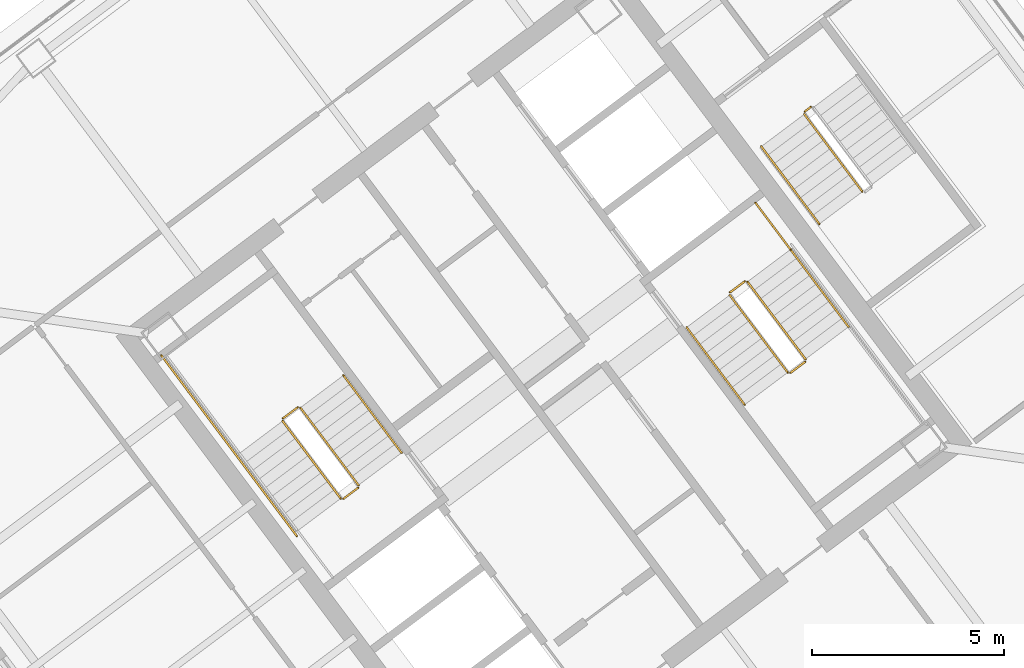
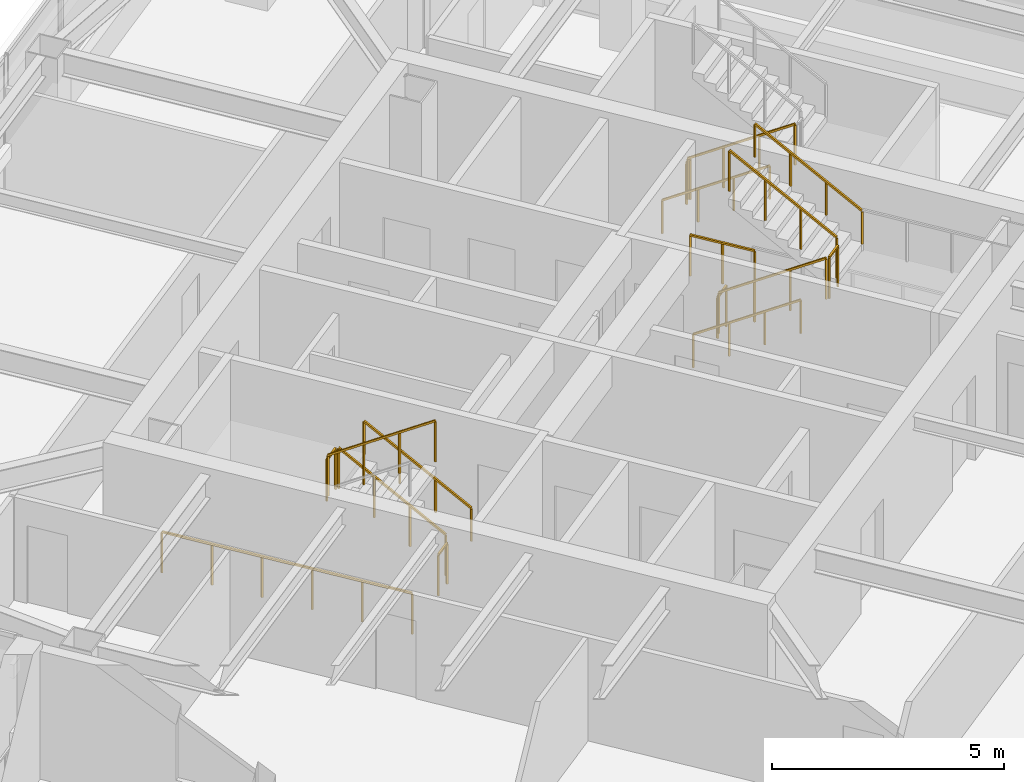
# One storey, part 37 of 39: 16 railings.
"""IFC4 building model written with IfcOpenShell, lengths in metres."""

from ifc_helpers import new_model, si_unit, direction, frame, origin, origin_2d, place, context, subcontext, project, spatial, rectangle, extrude, material, type_object, element, save


model = new_model("IFC4")

# Units and contexts
model_context = context("Model", 3, precision=1e-05, world=origin(), true_north=direction((0.0, 1.0)))
body_context = subcontext(model_context, "Body", "Model", "MODEL_VIEW")
ifc_project = project(units=[si_unit("LENGTHUNIT", "METRE"), si_unit("AREAUNIT", "SQUARE_METRE"), si_unit("VOLUMEUNIT", "CUBIC_METRE"), si_unit("PLANEANGLEUNIT", "RADIAN"), si_unit("MASSUNIT", "GRAM", prefix="KILO")], contexts=[model_context])

# Site, building, storey
site_placement = place(None, origin())
site = spatial("IfcSite", under=ifc_project, at=site_placement, CompositionType="ELEMENT")
building_placement = place(site_placement, origin())
building = spatial("IfcBuilding", under=site, at=building_placement, Name="Tashvorn Skyway Center", CompositionType="ELEMENT")
storey_placement = place(building_placement, frame((0.0, 0.0, 225.5)))
storey = spatial("IfcBuildingStorey", under=building, at=storey_placement, Name="L61", CompositionType="ELEMENT", Elevation=225.5)

# Railings
ifc_material_1 = material(Name="Brushed stainless steel 316", Category="steel")
railing_type_1 = type_object("IfcRailingType", Name="RAIL-HAND-920", PredefinedType="HANDRAIL", material=ifc_material_1)
railing_1_placement = place(storey_placement, frame((110.2880859375, 30.365966796875, 0.177490234375)))
element("IfcRailing", 1, at=railing_1_placement, inside=storey, type_object=railing_type_1, Name="L61 ST-T2-1 stair handrail 1", PredefinedType="HANDRAIL", context=body_context, shape_type="SweptSolid", body=[
    extrude(rectangle(XDim=0.048095703125, YDim=0.048095703125, at=origin_2d()), frame((0.0, 0.0, 0.8759765625), z_axis=(-0.506801609611, 0.675680931896, 0.535357270211), x_axis=(-0.799976749893, -0.600030998891, 0.0)), (0.0, 0.0, 1.0), 2.98388671875),
    extrude(rectangle(XDim=0.0419921875, YDim=0.0419921875, at=origin_2d()), origin(), (0.0, 0.0, 1.0), 0.851806640625),
    extrude(rectangle(XDim=0.0419921875, YDim=0.0419921875, at=origin_2d()), frame((-0.504150390625, 0.672119140625, 0.532470703125)), (0.0, 0.0, 1.0), 0.851806640625),
    extrude(rectangle(XDim=0.0419921875, YDim=0.0419921875, at=origin_2d()), frame((-1.008056640625, 1.343994140625, 1.06494140625)), (0.0, 0.0, 1.0), 0.851806640625),
    extrude(rectangle(XDim=0.0419921875, YDim=0.0419921875, at=origin_2d()), frame((-1.51220703125, 2.01611328125, 1.597412109375)), (0.0, 0.0, 1.0), 0.851806640625),
])
railing_2_placement = place(storey_placement, frame((117.7119140625, 33.634033203125, 0.177490234375)))
element("IfcRailing", 2, at=railing_2_placement, inside=storey, type_object=railing_type_1, Name="L61 ST-T2-2 stair handrail 1", PredefinedType="HANDRAIL", context=body_context, shape_type="SweptSolid", body=[
    extrude(rectangle(XDim=0.048095703125, YDim=0.048095703125, at=origin_2d()), frame((0.0, 0.0, 0.8759765625), z_axis=(0.506801609611, -0.675680931896, 0.535357270211), x_axis=(0.799976749893, 0.600030998891, 0.0)), (0.0, 0.0, 1.0), 2.98388671875),
    extrude(rectangle(XDim=0.0419921875, YDim=0.0419921875, at=origin_2d()), origin(), (0.0, 0.0, 1.0), 0.851806640625),
    extrude(rectangle(XDim=0.0419921875, YDim=0.0419921875, at=origin_2d()), frame((0.504150390625, -0.672119140625, 0.532470703125)), (0.0, 0.0, 1.0), 0.851806640625),
    extrude(rectangle(XDim=0.0419921875, YDim=0.0419921875, at=origin_2d()), frame((1.008056640625, -1.343994140625, 1.06494140625)), (0.0, 0.0, 1.0), 0.851806640625),
    extrude(rectangle(XDim=0.0419921875, YDim=0.0419921875, at=origin_2d()), frame((1.51220703125, -2.01611328125, 1.597412109375)), (0.0, 0.0, 1.0), 0.851806640625),
])
railing_3_placement = place(storey_placement, frame((121.927978515625, 33.64599609375, 1.952392578125)))
element("IfcRailing", 3, at=railing_3_placement, inside=storey, type_object=railing_type_1, Name="L61 ST-T2-2 stair handrail 2", PredefinedType="HANDRAIL", context=body_context, shape_type="SweptSolid", body=[
    extrude(rectangle(XDim=0.048095703125, YDim=0.048095703125, at=origin_2d()), frame((0.0, 0.0, 0.8759765625), z_axis=(-0.506718600913, 0.675679348675, 0.535437836974), x_axis=(-0.800023250257, -0.599968998406, 0.0)), (0.0, 0.0, 1.0), 2.98388671875),
    extrude(rectangle(XDim=0.0419921875, YDim=0.0419921875, at=origin_2d()), origin(), (0.0, 0.0, 1.0), 0.851806640625),
    extrude(rectangle(XDim=0.0419921875, YDim=0.0419921875, at=origin_2d()), frame((-0.50390625, 0.672119140625, 0.532470703125)), (0.0, 0.0, 1.0), 0.851806640625),
    extrude(rectangle(XDim=0.0419921875, YDim=0.0419921875, at=origin_2d()), frame((-1.008056640625, 1.343994140625, 1.065185546875)), (0.0, 0.0, 1.0), 0.851806640625),
    extrude(rectangle(XDim=0.0419921875, YDim=0.0419921875, at=origin_2d()), frame((-1.511962890625, 2.01611328125, 1.59765625)), (0.0, 0.0, 1.0), 0.851806640625),
])
railing_4_placement = place(storey_placement, frame((119.656005859375, 38.342041015625, 0.177490234375)))
element("IfcRailing", 4, at=railing_4_placement, inside=storey, type_object=railing_type_1, Name="L61 ST-T2-3 stair handrail 1", PredefinedType="HANDRAIL", context=body_context, shape_type="SweptSolid", body=[
    extrude(rectangle(XDim=0.048095703125, YDim=0.048095703125, at=origin_2d()), frame((0.0, 0.0, 0.8759765625), z_axis=(0.506740800098, -0.675708949977, 0.535379469569), x_axis=(0.800023250257, 0.599968998406, 0.0)), (0.0, 0.0, 1.0), 2.983642578125),
    extrude(rectangle(XDim=0.0419921875, YDim=0.0419921875, at=origin_2d()), origin(), (0.0, 0.0, 1.0), 0.851806640625),
    extrude(rectangle(XDim=0.0419921875, YDim=0.0419921875, at=origin_2d()), frame((0.50390625, -0.672119140625, 0.532470703125)), (0.0, 0.0, 1.0), 0.851806640625),
    extrude(rectangle(XDim=0.0419921875, YDim=0.0419921875, at=origin_2d()), frame((1.008056640625, -1.343994140625, 1.06494140625)), (0.0, 0.0, 1.0), 0.851806640625),
    extrude(rectangle(XDim=0.0419921875, YDim=0.0419921875, at=origin_2d()), frame((1.511962890625, -2.01611328125, 1.597412109375)), (0.0, 0.0, 1.0), 0.851806640625),
])
ifc_material_2 = material(Name="Painted galvanized steel S355", Category="steel")
railing_type_2 = type_object("IfcRailingType", Name="RAIL-STGUARD-1100", PredefinedType="GUARDRAIL", material=ifc_material_2)
railing_5_placement = place(storey_placement, frame((109.16796875, 29.52587890625, 0.177490234375)))
element("IfcRailing", 5, at=railing_5_placement, inside=storey, type_object=railing_type_2, Name="L61 ST-T2-1 stair guard 1", PredefinedType="GUARDRAIL", context=body_context, shape_type="SweptSolid", body=[
    extrude(rectangle(XDim=0.048095703125, YDim=0.048095703125, at=origin_2d()), frame((0.0, 0.0, 1.076171875), z_axis=(-0.506740800098, 0.675708949977, 0.535379469569), x_axis=(-0.800023250257, -0.599968998406, 0.0)), (0.0, 0.0, 1.0), 2.983642578125),
    extrude(rectangle(XDim=0.0419921875, YDim=0.0419921875, at=origin_2d()), origin(), (0.0, 0.0, 1.0), 1.052001953125),
    extrude(rectangle(XDim=0.0419921875, YDim=0.0419921875, at=origin_2d()), frame((-0.50390625, 0.672119140625, 0.532470703125)), (0.0, 0.0, 1.0), 1.052001953125),
    extrude(rectangle(XDim=0.0419921875, YDim=0.0419921875, at=origin_2d()), frame((-1.008056640625, 1.343994140625, 1.06494140625)), (0.0, 0.0, 1.0), 1.052001953125),
    extrude(rectangle(XDim=0.0419921875, YDim=0.0419921875, at=origin_2d()), frame((-1.511962890625, 2.01611328125, 1.597412109375)), (0.0, 0.0, 1.0), 1.052001953125),
])
railing_6_placement = place(storey_placement, frame((107.5859375, 31.552001953125, 1.77490234375)))
element("IfcRailing", 6, at=railing_6_placement, inside=storey, type_object=railing_type_2, Name="L61 ST-T2-1 stair guard 2", PredefinedType="GUARDRAIL", context=body_context, shape_type="SweptSolid", body=[
    extrude(rectangle(XDim=0.048095703125, YDim=0.048095703125, at=origin_2d()), frame((0.0, 0.0, 1.076171875), z_axis=(-0.799938970639, -0.600081363861, 0.0), x_axis=(0.600081363861, -0.799938970639, 0.0)), (0.0, 0.0, 1.0), 0.47998046875),
    extrude(rectangle(XDim=0.0419921875, YDim=0.0419921875, at=origin_2d()), origin(), (0.0, 0.0, 1.0), 1.052001953125),
    extrude(rectangle(XDim=0.0419921875, YDim=0.0419921875, at=origin_2d()), frame((-0.384033203125, -0.2880859375, 0.0)), (0.0, 0.0, 1.0), 1.052001953125),
])
railing_7_placement = place(storey_placement, frame((107.19189453125, 31.194091796875, 1.952392578125)))
element("IfcRailing", 7, at=railing_7_placement, inside=storey, type_object=railing_type_2, Name="L61 ST-T2-1 stair guard 4", PredefinedType="GUARDRAIL", context=body_context, shape_type="SweptSolid", body=[
    extrude(rectangle(XDim=0.048095703125, YDim=0.048095703125, at=origin_2d()), frame((0.0, 0.0, 1.076171875), z_axis=(0.506779409603, -0.675651334276, 0.53541563714), x_axis=(0.799976749893, 0.600030998891, 0.0)), (0.0, 0.0, 1.0), 2.98388671875),
    extrude(rectangle(XDim=0.0419921875, YDim=0.0419921875, at=origin_2d()), origin(), (0.0, 0.0, 1.0), 1.052001953125),
    extrude(rectangle(XDim=0.0419921875, YDim=0.0419921875, at=origin_2d()), frame((0.504150390625, -0.672119140625, 0.532470703125)), (0.0, 0.0, 1.0), 1.052001953125),
    extrude(rectangle(XDim=0.0419921875, YDim=0.0419921875, at=origin_2d()), frame((1.008056640625, -1.343994140625, 1.065185546875)), (0.0, 0.0, 1.0), 1.052001953125),
    extrude(rectangle(XDim=0.0419921875, YDim=0.0419921875, at=origin_2d()), frame((1.51220703125, -2.01611328125, 1.59765625)), (0.0, 0.0, 1.0), 1.052001953125),
])
railing_8_placement = place(storey_placement, frame((109.157958984375, 29.4560546875, 0.0)))
element("IfcRailing", 8, at=railing_8_placement, inside=storey, type_object=railing_type_2, Name="L61 ST-T2-1 stair guard 5", PredefinedType="GUARDRAIL", context=body_context, shape_type="SweptSolid", body=[
    extrude(rectangle(XDim=0.048095703125, YDim=0.048095703125, at=origin_2d()), frame((0.0, 0.0, 1.076171875), z_axis=(-0.799938970639, -0.600081363861, 0.0), x_axis=(0.600081363861, -0.799938970639, 0.0)), (0.0, 0.0, 1.0), 0.47998046875),
    extrude(rectangle(XDim=0.0419921875, YDim=0.0419921875, at=origin_2d()), origin(), (0.0, 0.0, 1.0), 1.052001953125),
    extrude(rectangle(XDim=0.0419921875, YDim=0.0419921875, at=origin_2d()), frame((-0.384033203125, -0.2880859375, 0.0)), (0.0, 0.0, 1.0), 1.052001953125),
])
railing_9_placement = place(storey_placement, frame((107.56396484375, 28.197998046875, 0.0)))
element("IfcRailing", 9, at=railing_9_placement, inside=storey, type_object=railing_type_2, Name="L61 ST-T2-1 stair guard 7", PredefinedType="GUARDRAIL", context=body_context, shape_type="SweptSolid", body=[
    extrude(rectangle(XDim=0.048095703125, YDim=0.048095703125, at=origin_2d()), frame((0.0, 0.0, 1.076171875), z_axis=(-0.6, 0.8, 0.0), x_axis=(-0.8, -0.6, 0.0)), (0.0, 0.0, 1.0), 5.880126953125),
    extrude(rectangle(XDim=0.0419921875, YDim=0.0419921875, at=origin_2d()), origin(), (0.0, 0.0, 1.0), 1.052001953125),
    extrude(rectangle(XDim=0.0419921875, YDim=0.0419921875, at=origin_2d()), frame((-0.70556640625, 0.94091796875, 0.0)), (0.0, 0.0, 1.0), 1.052001953125),
    extrude(rectangle(XDim=0.0419921875, YDim=0.0419921875, at=origin_2d()), frame((-1.4111328125, 1.881591796875, 0.0)), (0.0, 0.0, 1.0), 1.052001953125),
    extrude(rectangle(XDim=0.0419921875, YDim=0.0419921875, at=origin_2d()), frame((-2.116943359375, 2.822509765625, 0.0)), (0.0, 0.0, 1.0), 1.052001953125),
    extrude(rectangle(XDim=0.0419921875, YDim=0.0419921875, at=origin_2d()), frame((-2.822509765625, 3.76318359375, 0.0)), (0.0, 0.0, 1.0), 1.052001953125),
    extrude(rectangle(XDim=0.0419921875, YDim=0.0419921875, at=origin_2d()), frame((-3.528076171875, 4.7041015625, 0.0)), (0.0, 0.0, 1.0), 1.052001953125),
])
railing_10_placement = place(storey_placement, frame((118.83203125, 34.47412109375, 0.177490234375)))
element("IfcRailing", 10, at=railing_10_placement, inside=storey, type_object=railing_type_2, Name="L61 ST-T2-2 stair guard 1", PredefinedType="GUARDRAIL", context=body_context, shape_type="SweptSolid", body=[
    extrude(rectangle(XDim=0.048095703125, YDim=0.048095703125, at=origin_2d()), frame((0.0, 0.0, 1.076171875), z_axis=(0.506740800098, -0.675708949977, 0.535379469569), x_axis=(0.800023250257, 0.599968998406, 0.0)), (0.0, 0.0, 1.0), 2.983642578125),
    extrude(rectangle(XDim=0.0419921875, YDim=0.0419921875, at=origin_2d()), origin(), (0.0, 0.0, 1.0), 1.052001953125),
    extrude(rectangle(XDim=0.0419921875, YDim=0.0419921875, at=origin_2d()), frame((0.50390625, -0.672119140625, 0.532470703125)), (0.0, 0.0, 1.0), 1.052001953125),
    extrude(rectangle(XDim=0.0419921875, YDim=0.0419921875, at=origin_2d()), frame((1.008056640625, -1.343994140625, 1.06494140625)), (0.0, 0.0, 1.0), 1.052001953125),
    extrude(rectangle(XDim=0.0419921875, YDim=0.0419921875, at=origin_2d()), frame((1.511962890625, -2.01611328125, 1.597412109375)), (0.0, 0.0, 1.0), 1.052001953125),
])
railing_11_placement = place(storey_placement, frame((120.4140625, 32.447998046875, 1.77490234375)))
element("IfcRailing", 11, at=railing_11_placement, inside=storey, type_object=railing_type_2, Name="L61 ST-T2-2 stair guard 2", PredefinedType="GUARDRAIL", context=body_context, shape_type="SweptSolid", body=[
    extrude(rectangle(XDim=0.048095703125, YDim=0.048095703125, at=origin_2d()), frame((0.0, 0.0, 1.076171875), z_axis=(0.799938970639, 0.600081363861, 0.0), x_axis=(-0.600081363861, 0.799938970639, 0.0)), (0.0, 0.0, 1.0), 0.47998046875),
    extrude(rectangle(XDim=0.0419921875, YDim=0.0419921875, at=origin_2d()), origin(), (0.0, 0.0, 1.0), 1.052001953125),
    extrude(rectangle(XDim=0.0419921875, YDim=0.0419921875, at=origin_2d()), frame((0.384033203125, 0.2880859375, 0.0)), (0.0, 0.0, 1.0), 1.052001953125),
])
railing_12_placement = place(storey_placement, frame((120.80810546875, 32.805908203125, 1.952392578125)))
element("IfcRailing", 12, at=railing_12_placement, inside=storey, type_object=railing_type_2, Name="L61 ST-T2-2 stair guard 4", PredefinedType="GUARDRAIL", context=body_context, shape_type="SweptSolid", body=[
    extrude(rectangle(XDim=0.048095703125, YDim=0.048095703125, at=origin_2d()), frame((0.0, 0.0, 1.076171875), z_axis=(-0.506779409603, 0.675651334276, 0.53541563714), x_axis=(-0.799976749893, -0.600030998891, 0.0)), (0.0, 0.0, 1.0), 2.98388671875),
    extrude(rectangle(XDim=0.0419921875, YDim=0.0419921875, at=origin_2d()), origin(), (0.0, 0.0, 1.0), 1.052001953125),
    extrude(rectangle(XDim=0.0419921875, YDim=0.0419921875, at=origin_2d()), frame((-0.504150390625, 0.672119140625, 0.532470703125)), (0.0, 0.0, 1.0), 1.052001953125),
    extrude(rectangle(XDim=0.0419921875, YDim=0.0419921875, at=origin_2d()), frame((-1.008056640625, 1.343994140625, 1.065185546875)), (0.0, 0.0, 1.0), 1.052001953125),
    extrude(rectangle(XDim=0.0419921875, YDim=0.0419921875, at=origin_2d()), frame((-1.51220703125, 2.01611328125, 1.59765625)), (0.0, 0.0, 1.0), 1.052001953125),
])
railing_13_placement = place(storey_placement, frame((118.842041015625, 34.5439453125, 0.0)))
element("IfcRailing", 13, at=railing_13_placement, inside=storey, type_object=railing_type_2, Name="L61 ST-T2-2 stair guard 5", PredefinedType="GUARDRAIL", context=body_context, shape_type="SweptSolid", body=[
    extrude(rectangle(XDim=0.048095703125, YDim=0.048095703125, at=origin_2d()), frame((0.0, 0.0, 1.076171875), z_axis=(0.799938970639, 0.600081363861, 0.0), x_axis=(-0.600081363861, 0.799938970639, 0.0)), (0.0, 0.0, 1.0), 0.47998046875),
    extrude(rectangle(XDim=0.0419921875, YDim=0.0419921875, at=origin_2d()), origin(), (0.0, 0.0, 1.0), 1.052001953125),
    extrude(rectangle(XDim=0.0419921875, YDim=0.0419921875, at=origin_2d()), frame((0.384033203125, 0.2880859375, 0.0)), (0.0, 0.0, 1.0), 1.052001953125),
])
railing_14_placement = place(storey_placement, frame((119.50390625, 36.8779296875, 0.0)))
element("IfcRailing", 14, at=railing_14_placement, inside=storey, type_object=railing_type_2, Name="L61 ST-T2-2 stair guard 6", PredefinedType="GUARDRAIL", context=body_context, shape_type="SweptSolid", body=[
    extrude(rectangle(XDim=0.048095703125, YDim=0.048095703125, at=origin_2d()), frame((0.0, 0.0, 1.076171875), z_axis=(0.600102796382, -0.799922892393, 0.0), x_axis=(0.799922892393, 0.600102796382, 0.0)), (0.0, 0.0, 1.0), 1.52001953125),
    extrude(rectangle(XDim=0.0419921875, YDim=0.0419921875, at=origin_2d()), origin(), (0.0, 0.0, 1.0), 1.052001953125),
    extrude(rectangle(XDim=0.0419921875, YDim=0.0419921875, at=origin_2d()), frame((0.4560546875, -0.60791015625, 0.0)), (0.0, 0.0, 1.0), 1.052001953125),
    extrude(rectangle(XDim=0.0419921875, YDim=0.0419921875, at=origin_2d()), frame((0.912109375, -1.2158203125, 0.0)), (0.0, 0.0, 1.0), 1.052001953125),
])
railing_15_placement = place(storey_placement, frame((120.77587890625, 39.181884765625, 0.177490234375)))
element("IfcRailing", 15, at=railing_15_placement, inside=storey, type_object=railing_type_2, Name="L61 ST-T2-3 stair guard 1", PredefinedType="GUARDRAIL", context=body_context, shape_type="SweptSolid", body=[
    extrude(rectangle(XDim=0.048095703125, YDim=0.048095703125, at=origin_2d()), frame((0.0, 0.0, 1.076171875), z_axis=(0.506829628838, -0.67563646195, 0.535386868177), x_axis=(0.799941867976, 0.600077501544, 0.0)), (0.0, 0.0, 1.0), 2.983642578125),
    extrude(rectangle(XDim=0.0419921875, YDim=0.0419921875, at=origin_2d()), origin(), (0.0, 0.0, 1.0), 1.052001953125),
    extrude(rectangle(XDim=0.0419921875, YDim=0.0419921875, at=origin_2d()), frame((0.504150390625, -0.671875, 0.532470703125)), (0.0, 0.0, 1.0), 1.052001953125),
    extrude(rectangle(XDim=0.0419921875, YDim=0.0419921875, at=origin_2d()), frame((1.008056640625, -1.343994140625, 1.06494140625)), (0.0, 0.0, 1.0), 1.052001953125),
    extrude(rectangle(XDim=0.0419921875, YDim=0.0419921875, at=origin_2d()), frame((1.51220703125, -2.015869140625, 1.597412109375)), (0.0, 0.0, 1.0), 1.052001953125),
])
railing_16_placement = place(storey_placement, frame((120.785888671875, 39.251953125, 0.0)))
element("IfcRailing", 16, at=railing_16_placement, inside=storey, type_object=railing_type_2, Name="L61 ST-T2-3 stair guard 4", PredefinedType="GUARDRAIL", context=body_context, shape_type="SweptSolid", body=[
    extrude(rectangle(XDim=0.048095703125, YDim=0.048095703125, at=origin_2d()), frame((0.0, 0.0, 1.076171875), z_axis=(0.8, 0.6, 0.0), x_axis=(-0.6, 0.8, 0.0)), (0.0, 0.0, 1.0), 0.2001953125),
    extrude(rectangle(XDim=0.0419921875, YDim=0.0419921875, at=origin_2d()), origin(), (0.0, 0.0, 1.0), 1.052001953125),
    extrude(rectangle(XDim=0.0419921875, YDim=0.0419921875, at=origin_2d()), frame((0.16015625, 0.1201171875, 0.0)), (0.0, 0.0, 1.0), 1.052001953125),
])

save(model, "model.ifc")
